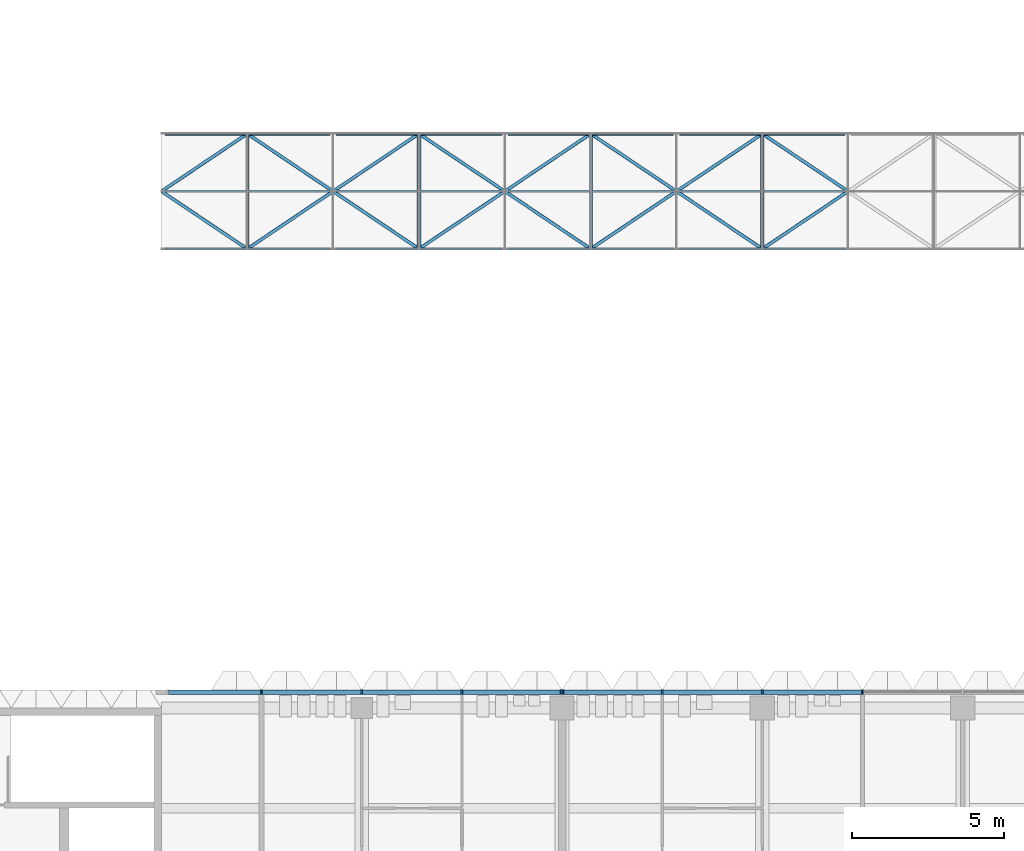
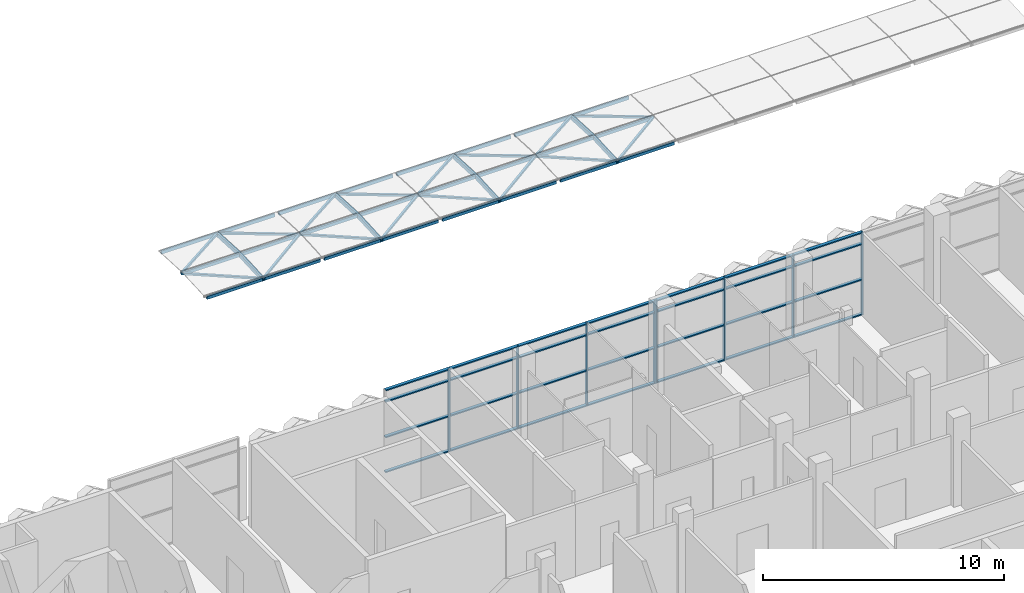
# One storey, part 10 of 61: 84 members, 2 elements without a shape of their own.
"""IFC4 building model written with IfcOpenShell, lengths in metres."""

from ifc_helpers import new_model, si_unit, direction, frame, origin, origin_2d, place, context, subcontext, project, spatial, rectangle, hollow_rectangle, extrude, material, material_profile, profile_set, type_object, element, aggregate, save


model = new_model("IFC4")

# Units and contexts
model_context = context("Model", 3, precision=1e-05, world=origin(), true_north=direction((0.0, 1.0)))
body_context = subcontext(model_context, "Body", "Model", "MODEL_VIEW")
ifc_project = project(units=[si_unit("LENGTHUNIT", "METRE"), si_unit("AREAUNIT", "SQUARE_METRE"), si_unit("VOLUMEUNIT", "CUBIC_METRE"), si_unit("PLANEANGLEUNIT", "RADIAN"), si_unit("MASSUNIT", "GRAM", prefix="KILO")], contexts=[model_context])

# Site, building, storey
site_placement = place(None, origin())
site = spatial("IfcSite", under=ifc_project, at=site_placement, CompositionType="ELEMENT")
building_placement = place(site_placement, origin())
building = spatial("IfcBuilding", under=site, at=building_placement, Name="Lantern Court Research Institute", CompositionType="ELEMENT")
storey_placement = place(building_placement, frame((0.0, 0.0, 23.39990234375)))
storey = spatial("IfcBuildingStorey", under=building, at=storey_placement, Name="L05", CompositionType="ELEMENT", Elevation=23.39990234375)

# Members
ifc_material_1 = material(Name="Structural steel S355", Category="steel")
ifc_material_profile_1 = material_profile(ifc_material_1, hollow_rectangle(XDim=0.080078125, YDim=0.159912109375, WallThickness=0.00634765625, at=origin_2d()), Name="Gridshell crown purlin RHS 160 x 80 x 6.3")
ifc_profile_set_1 = profile_set([ifc_material_profile_1], Name="Structural steel S355")
member_type_1 = type_object("IfcMemberType", Name="Gridshell crown purlin RHS 160 x 80 x 6.3", PredefinedType="PURLIN", material=ifc_profile_set_1)
member_1_placement = place(storey_placement, frame((39.72509765625, 38.23291015625, 0.024658203125), z_axis=(1.0, 0.0, 0.0), x_axis=(0.0, 0.994933962664, 0.100530641789)))
element("IfcMember", 1, at=member_1_placement, inside=storey, type_object=member_type_1, Name="Gridshell purlin", PredefinedType="PURLIN", context=body_context, shape_type="SweptSolid", body=[
    extrude(hollow_rectangle(XDim=0.080078125, YDim=0.159912109375, WallThickness=0.00634765625, at=origin_2d()), origin(), (0.0, 0.0, 1.0), 2.6435546875),
])
member_2_placement = place(storey_placement, frame((42.488525390625, 38.23291015625, 0.024658203125), z_axis=(1.0, 0.0, 0.0), x_axis=(0.0, 0.994933962664, 0.100530641789)))
element("IfcMember", 2, at=member_2_placement, inside=storey, type_object=member_type_1, Name="Gridshell purlin", PredefinedType="PURLIN", context=body_context, shape_type="SweptSolid", body=[
    extrude(hollow_rectangle(XDim=0.080078125, YDim=0.159912109375, WallThickness=0.00634765625, at=origin_2d()), origin(), (0.0, 0.0, 1.0), 2.668701171875),
])
for number, where, z_axis, x_axis, name in (
    (3, (45.357177734375, 38.23291015625, 0.024658203125), (1.0, 0.0, 0.0), (0.0, 0.994933962664, 0.100530641789), "Gridshell purlin"),
    (4, (48.145751953125, 38.23291015625, 0.024658203125), (1.0, 0.0, 0.0), (0.0, 0.994933962664, 0.100530641789), "Gridshell purlin"),
    (5, (51.014404296875, 38.23291015625, 0.024658203125), (1.0, 0.0, 0.0), (0.0, 0.994933962664, 0.100530641789), "Gridshell purlin"),
    (6, (53.802978515625, 38.23291015625, 0.024658203125), (1.0, 0.0, 0.0), (0.0, 0.994933962664, 0.100530641789), "Gridshell purlin"),
):
    element("IfcMember", number, at=place(storey_placement, frame(where, z_axis=z_axis, x_axis=x_axis)), inside=storey, type_object=member_type_1, Name=name, PredefinedType="PURLIN", context=body_context, shape_type="SweptSolid", body=[
        extrude(hollow_rectangle(XDim=0.080078125, YDim=0.159912109375, WallThickness=0.00634765625, at=origin_2d()), origin(), (0.0, 0.0, 1.0), 2.66845703125),
    ])
for number, where, z_axis, x_axis, name in (
    (7, (56.67138671875, 38.23291015625, 0.024658203125), (1.0, 0.0, 0.0), (0.0, 0.994933962664, 0.100530641789), "Gridshell purlin"),
    (8, (59.4599609375, 38.23291015625, 0.024658203125), (1.0, 0.0, 0.0), (0.0, 0.994933962664, 0.100530641789), "Gridshell purlin"),
):
    element("IfcMember", number, at=place(storey_placement, frame(where, z_axis=z_axis, x_axis=x_axis)), inside=storey, type_object=member_type_1, Name=name, PredefinedType="PURLIN", context=body_context, shape_type="SweptSolid", body=[
        extrude(hollow_rectangle(XDim=0.080078125, YDim=0.159912109375, WallThickness=0.00634765625, at=origin_2d()), origin(), (0.0, 0.0, 1.0), 2.668701171875),
    ])
member_3_placement = place(storey_placement, frame((39.72509765625, 40.125, 0.1201171875), z_axis=(1.0, 0.0, 0.0), x_axis=(0.0, 1.0, 0.0)))
element("IfcMember", 9, at=member_3_placement, inside=storey, type_object=member_type_1, Name="Gridshell purlin", PredefinedType="PURLIN", context=body_context, shape_type="SweptSolid", body=[
    extrude(hollow_rectangle(XDim=0.080078125, YDim=0.159912109375, WallThickness=0.00634765625, at=origin_2d()), origin(), (0.0, 0.0, 1.0), 2.6435546875),
])
member_4_placement = place(storey_placement, frame((42.488525390625, 40.125, 0.1201171875), z_axis=(1.0, 0.0, 0.0), x_axis=(0.0, 1.0, 0.0)))
element("IfcMember", 10, at=member_4_placement, inside=storey, type_object=member_type_1, Name="Gridshell purlin", PredefinedType="PURLIN", context=body_context, shape_type="SweptSolid", body=[
    extrude(hollow_rectangle(XDim=0.080078125, YDim=0.159912109375, WallThickness=0.00634765625, at=origin_2d()), origin(), (0.0, 0.0, 1.0), 2.668701171875),
])
for number, where, z_axis, x_axis, name in (
    (11, (45.357177734375, 40.125, 0.1201171875), (1.0, 0.0, 0.0), (0.0, 1.0, 0.0), "Gridshell purlin"),
    (12, (48.145751953125, 40.125, 0.1201171875), (1.0, 0.0, 0.0), (0.0, 1.0, 0.0), "Gridshell purlin"),
    (13, (51.014404296875, 40.125, 0.1201171875), (1.0, 0.0, 0.0), (0.0, 1.0, 0.0), "Gridshell purlin"),
    (14, (53.802978515625, 40.125, 0.1201171875), (1.0, 0.0, 0.0), (0.0, 1.0, 0.0), "Gridshell purlin"),
):
    element("IfcMember", number, at=place(storey_placement, frame(where, z_axis=z_axis, x_axis=x_axis)), inside=storey, type_object=member_type_1, Name=name, PredefinedType="PURLIN", context=body_context, shape_type="SweptSolid", body=[
        extrude(hollow_rectangle(XDim=0.080078125, YDim=0.159912109375, WallThickness=0.00634765625, at=origin_2d()), origin(), (0.0, 0.0, 1.0), 2.66845703125),
    ])
for number, where, z_axis, x_axis, name in (
    (15, (56.67138671875, 40.125, 0.1201171875), (1.0, 0.0, 0.0), (0.0, 1.0, 0.0), "Gridshell purlin"),
    (16, (59.4599609375, 40.125, 0.1201171875), (1.0, 0.0, 0.0), (0.0, 1.0, 0.0), "Gridshell purlin"),
):
    element("IfcMember", number, at=place(storey_placement, frame(where, z_axis=z_axis, x_axis=x_axis)), inside=storey, type_object=member_type_1, Name=name, PredefinedType="PURLIN", context=body_context, shape_type="SweptSolid", body=[
        extrude(hollow_rectangle(XDim=0.080078125, YDim=0.159912109375, WallThickness=0.00634765625, at=origin_2d()), origin(), (0.0, 0.0, 1.0), 2.668701171875),
    ])
member_5_placement = place(storey_placement, frame((39.72509765625, 42.01708984375, 0.024658203125), z_axis=(1.0, 0.0, 0.0), x_axis=(0.0, 0.994933962664, -0.100530641789)))
element("IfcMember", 17, at=member_5_placement, inside=storey, type_object=member_type_1, Name="Gridshell purlin", PredefinedType="PURLIN", context=body_context, shape_type="SweptSolid", body=[
    extrude(hollow_rectangle(XDim=0.080078125, YDim=0.159912109375, WallThickness=0.00634765625, at=origin_2d()), origin(), (0.0, 0.0, 1.0), 2.6435546875),
])
member_6_placement = place(storey_placement, frame((42.488525390625, 42.01708984375, 0.024658203125), z_axis=(1.0, 0.0, 0.0), x_axis=(0.0, 0.994933962664, -0.100530641789)))
element("IfcMember", 18, at=member_6_placement, inside=storey, type_object=member_type_1, Name="Gridshell purlin", PredefinedType="PURLIN", context=body_context, shape_type="SweptSolid", body=[
    extrude(hollow_rectangle(XDim=0.080078125, YDim=0.159912109375, WallThickness=0.00634765625, at=origin_2d()), origin(), (0.0, 0.0, 1.0), 2.668701171875),
])
for number, where, z_axis, x_axis, name in (
    (19, (45.357177734375, 42.01708984375, 0.024658203125), (1.0, 0.0, 0.0), (0.0, 0.994933962664, -0.100530641789), "Gridshell purlin"),
    (20, (48.145751953125, 42.01708984375, 0.024658203125), (1.0, 0.0, 0.0), (0.0, 0.994933962664, -0.100530641789), "Gridshell purlin"),
    (21, (51.014404296875, 42.01708984375, 0.024658203125), (1.0, 0.0, 0.0), (0.0, 0.994933962664, -0.100530641789), "Gridshell purlin"),
    (22, (53.802978515625, 42.01708984375, 0.024658203125), (1.0, 0.0, 0.0), (0.0, 0.994933962664, -0.100530641789), "Gridshell purlin"),
):
    element("IfcMember", number, at=place(storey_placement, frame(where, z_axis=z_axis, x_axis=x_axis)), inside=storey, type_object=member_type_1, Name=name, PredefinedType="PURLIN", context=body_context, shape_type="SweptSolid", body=[
        extrude(hollow_rectangle(XDim=0.080078125, YDim=0.159912109375, WallThickness=0.00634765625, at=origin_2d()), origin(), (0.0, 0.0, 1.0), 2.66845703125),
    ])
for number, where, z_axis, x_axis, name in (
    (23, (56.67138671875, 42.01708984375, 0.024658203125), (1.0, 0.0, 0.0), (0.0, 0.994933962664, -0.100530641789), "Gridshell purlin"),
    (24, (59.4599609375, 42.01708984375, 0.024658203125), (1.0, 0.0, 0.0), (0.0, 0.994933962664, -0.100530641789), "Gridshell purlin"),
):
    element("IfcMember", number, at=place(storey_placement, frame(where, z_axis=z_axis, x_axis=x_axis)), inside=storey, type_object=member_type_1, Name=name, PredefinedType="PURLIN", context=body_context, shape_type="SweptSolid", body=[
        extrude(hollow_rectangle(XDim=0.080078125, YDim=0.159912109375, WallThickness=0.00634765625, at=origin_2d()), origin(), (0.0, 0.0, 1.0), 2.668701171875),
    ])
ifc_material_2 = material(Name="Structural steel S355", Category="steel")
ifc_material_profile_2 = material_profile(ifc_material_2, hollow_rectangle(XDim=0.10009765625, YDim=0.10009765625, WallThickness=0.00634765625, at=origin_2d()), Name="Gridshell diagonal RHS 100 x 100 x 6.3")
ifc_profile_set_2 = profile_set([ifc_material_profile_2], Name="Structural steel S355")
member_type_2 = type_object("IfcMemberType", Name="Gridshell diagonal RHS 100 x 100 x 6.3", PredefinedType="BRACE", material=ifc_profile_set_2)
for number, where, z_axis, x_axis, name in (
    (25, (42.428466796875, 38.2275390625, 0.054443359375), (-0.829777790691, 0.557387204761, 0.02807707328), (-0.558093915024, -0.828726200764, -0.041762018391), "Gridshell diagonal"),
    (26, (39.60009765625, 40.12255859375, 0.150146484375), (0.829777790691, 0.557387204761, -0.02807707328), (-0.558093915024, 0.828726200764, -0.041762018391), "Gridshell diagonal"),
    (27, (42.428466796875, 38.2275390625, 0.054443359375), (0.829800097715, 0.557354079097, 0.028075404653), (-0.55806074737, 0.828748535987, 0.041762020349), "Gridshell diagonal"),
    (28, (45.257080078125, 40.12255859375, 0.150146484375), (-0.829800097715, 0.557354079097, -0.028075404653), (-0.55806074737, -0.828748535987, 0.041762020349), "Gridshell diagonal"),
    (29, (48.085693359375, 38.2275390625, 0.054443359375), (-0.829800097715, 0.557354079097, 0.028075404653), (-0.55806074737, -0.828748535987, -0.041762020349), "Gridshell diagonal"),
    (30, (45.257080078125, 40.12255859375, 0.150146484375), (0.829800097715, 0.557354079097, -0.028075404653), (-0.55806074737, 0.828748535987, -0.041762020349), "Gridshell diagonal"),
    (31, (48.085693359375, 38.2275390625, 0.054443359375), (0.829800097715, 0.557354079097, 0.028075404653), (-0.55806074737, 0.828748535987, 0.041762020349), "Gridshell diagonal"),
    (32, (50.914306640625, 40.12255859375, 0.150146484375), (-0.829800097715, 0.557354079097, -0.028075404653), (-0.55806074737, -0.828748535987, 0.041762020349), "Gridshell diagonal"),
    (33, (53.742919921875, 38.2275390625, 0.054443359375), (-0.829800097715, 0.557354079097, 0.028075404653), (-0.55806074737, -0.828748535987, -0.041762020349), "Gridshell diagonal"),
    (34, (50.914306640625, 40.12255859375, 0.150146484375), (0.829800097715, 0.557354079097, -0.028075404653), (-0.55806074737, 0.828748535987, -0.041762020349), "Gridshell diagonal"),
    (35, (53.742919921875, 38.2275390625, 0.054443359375), (0.829800097715, 0.557354079097, 0.028075404653), (-0.55806074737, 0.828748535987, 0.041762020349), "Gridshell diagonal"),
    (36, (56.571533203125, 40.12255859375, 0.150146484375), (-0.829800097715, 0.557354079097, -0.028075404653), (-0.55806074737, -0.828748535987, 0.041762020349), "Gridshell diagonal"),
    (37, (59.39990234375, 38.2275390625, 0.054443359375), (-0.829777790691, 0.557387204761, 0.02807707328), (-0.558093915024, -0.828726200764, -0.041762018391), "Gridshell diagonal"),
    (38, (56.571533203125, 40.12255859375, 0.150146484375), (0.829777790691, 0.557387204761, -0.02807707328), (-0.558093915024, 0.828726200764, -0.041762018391), "Gridshell diagonal"),
    (39, (59.39990234375, 38.2275390625, 0.054443359375), (0.829800097715, 0.557354079097, 0.028075404653), (-0.55806074737, 0.828748535987, 0.041762020349), "Gridshell diagonal"),
    (40, (62.228515625, 40.12255859375, 0.150146484375), (-0.829800097715, 0.557354079097, -0.028075404653), (-0.55806074737, -0.828748535987, 0.041762020349), "Gridshell diagonal"),
):
    element("IfcMember", number, at=place(storey_placement, frame(where, z_axis=z_axis, x_axis=x_axis)), inside=storey, type_object=member_type_2, Name=name, PredefinedType="BRACE", context=body_context, shape_type="SweptSolid", body=[
        extrude(hollow_rectangle(XDim=0.10009765625, YDim=0.10009765625, WallThickness=0.00634765625, at=origin_2d()), origin(), (0.0, 0.0, 1.0), 3.40869140625),
    ])
ifc_material_3 = material(Name="Structural steel S355", Category="steel")
ifc_material_profile_3 = material_profile(ifc_material_3, hollow_rectangle(XDim=0.1201171875, YDim=0.199951171875, WallThickness=0.008056640625, at=origin_2d()), Name="Gridshell secondary rib RHS 200 x 120 x 8")
ifc_profile_set_3 = profile_set([ifc_material_profile_3], Name="Structural steel S355")
member_type_3 = type_object("IfcMemberType", Name="Gridshell secondary rib RHS 200 x 120 x 8", PredefinedType="RAFTER", material=ifc_profile_set_3)
for number, where, z_axis, x_axis, name in (
    (41, (42.428466796875, 38.22998046875, 0.00439453125), (0.0, 0.998727576976, 0.050430417288), (-1.0, 0.0, 0.0), "Gridshell secondary rib"),
    (42, (42.428466796875, 40.119873046875, 0.100341796875), (0.0, 0.998727576976, -0.050430417288), (-1.0, 0.0, 0.0), "Gridshell secondary rib"),
    (43, (48.085693359375, 38.22998046875, 0.00439453125), (0.0, 0.998727576976, 0.050430417288), (-1.0, 0.0, 0.0), "Gridshell secondary rib"),
    (44, (48.085693359375, 40.119873046875, 0.100341796875), (0.0, 0.998727576976, -0.050430417288), (-1.0, 0.0, 0.0), "Gridshell secondary rib"),
    (45, (53.742919921875, 38.22998046875, 0.00439453125), (0.0, 0.998727576976, 0.050430417288), (-1.0, 0.0, 0.0), "Gridshell secondary rib"),
    (46, (53.742919921875, 40.119873046875, 0.100341796875), (0.0, 0.998727576976, -0.050430417288), (-1.0, 0.0, 0.0), "Gridshell secondary rib"),
    (47, (59.39990234375, 38.22998046875, 0.00439453125), (0.0, 0.998727576976, 0.050430417288), (-1.0, 0.0, 0.0), "Gridshell secondary rib"),
    (48, (59.39990234375, 40.119873046875, 0.100341796875), (0.0, 0.998727576976, -0.050430417288), (-1.0, 0.0, 0.0), "Gridshell secondary rib"),
):
    element("IfcMember", number, at=place(storey_placement, frame(where, z_axis=z_axis, x_axis=x_axis)), inside=storey, type_object=member_type_3, Name=name, PredefinedType="RAFTER", context=body_context, shape_type="SweptSolid", body=[
        extrude(hollow_rectangle(XDim=0.1201171875, YDim=0.199951171875, WallThickness=0.008056640625, at=origin_2d()), origin(), (0.0, 0.0, 1.0), 1.902587890625),
    ])

# Curtain wall, members
ifc_material_4 = material(Name="Aluminium alloy 6063-T6", Category="aluminium")
curtain_wall_type_1 = type_object("IfcCurtainWallType", Name="Curtain wall 13025 x 4200 x 150 aluminium frame", PredefinedType="NOTDEFINED", material=ifc_material_4)
curtain_wall_1_placement = place(storey_placement, origin())
curtain_wall_1 = element("IfcCurtainWall", 49, at=curtain_wall_1_placement, inside=storey, type_object=curtain_wall_type_1, Name="Curtain wall CW071", PredefinedType="NOTDEFINED")
ifc_material_5 = material(Name="Aluminium alloy 6063-T6", Category="aluminium")
ifc_material_profile_4 = material_profile(ifc_material_5, rectangle(XDim=0.14990234375, YDim=0.06005859375, at=origin_2d()), Name="Mullion 150 x 60")
ifc_profile_set_4 = profile_set([ifc_material_profile_4], Name="Aluminium alloy 6063-T6")
member_type_4 = type_object("IfcMemberType", Name="Mullion 150 x 60 aluminium", PredefinedType="MULLION", material=ifc_profile_set_4)
member_7_placement = place(storey_placement, frame((42.89990234375, 23.625, 0.0), z_axis=(0.0, 0.0, 1.0), x_axis=(0.0, 1.0, 0.0)))
member_7 = element("IfcMember", 50, at=member_7_placement, type_object=member_type_4, Name="CW071 mullion 2", PredefinedType="MULLION", context=body_context, shape_type="SweptSolid", body=[
    extrude(rectangle(XDim=0.14990234375, YDim=0.06005859375, at=origin_2d()), origin(), (0.0, 0.0, 1.0), 4.2001953125),
])
member_8_placement = place(storey_placement, frame((46.199951171875, 23.625, 0.0), z_axis=(0.0, 0.0, 1.0), x_axis=(0.0, 1.0, 0.0)))
member_8 = element("IfcMember", 51, at=member_8_placement, type_object=member_type_4, Name="CW071 mullion 3", PredefinedType="MULLION", context=body_context, shape_type="SweptSolid", body=[
    extrude(rectangle(XDim=0.14990234375, YDim=0.06005859375, at=origin_2d()), origin(), (0.0, 0.0, 1.0), 4.2001953125),
])
member_9_placement = place(storey_placement, frame((49.5, 23.625, 0.0), z_axis=(0.0, 0.0, 1.0), x_axis=(0.0, 1.0, 0.0)))
member_9 = element("IfcMember", 52, at=member_9_placement, type_object=member_type_4, Name="CW071 mullion 4", PredefinedType="MULLION", context=body_context, shape_type="SweptSolid", body=[
    extrude(rectangle(XDim=0.14990234375, YDim=0.06005859375, at=origin_2d()), origin(), (0.0, 0.0, 1.0), 4.2001953125),
])
member_10_placement = place(storey_placement, frame((52.77001953125, 23.625, 0.0), z_axis=(0.0, 0.0, 1.0), x_axis=(0.0, 1.0, 0.0)))
member_10 = element("IfcMember", 53, at=member_10_placement, type_object=member_type_4, Name="CW071 mullion 5", PredefinedType="MULLION", context=body_context, shape_type="SweptSolid", body=[
    extrude(rectangle(XDim=0.14990234375, YDim=0.06005859375, at=origin_2d()), origin(), (0.0, 0.0, 1.0), 4.2001953125),
])

ifc_material_6 = material(Name="Aluminium alloy 6063-T6", Category="aluminium")
curtain_wall_type_2 = type_object("IfcCurtainWallType", Name="Curtain wall 19600 x 4200 x 150 aluminium frame", PredefinedType="NOTDEFINED", material=ifc_material_6)
curtain_wall_2_placement = place(storey_placement, origin())
curtain_wall_2 = element("IfcCurtainWall", 54, at=curtain_wall_2_placement, inside=storey, type_object=curtain_wall_type_2, Name="Curtain wall CW075", PredefinedType="NOTDEFINED")
member_11_placement = place(storey_placement, frame((52.830078125, 23.625, 0.0), z_axis=(0.0, 0.0, 1.0), x_axis=(0.0, 1.0, 0.0)))
member_11 = element("IfcMember", 55, at=member_11_placement, type_object=member_type_4, Name="CW075 mullion 1", PredefinedType="MULLION", context=body_context, shape_type="SweptSolid", body=[
    extrude(rectangle(XDim=0.14990234375, YDim=0.06005859375, at=origin_2d()), origin(), (0.0, 0.0, 1.0), 4.2001953125),
])
member_12_placement = place(storey_placement, frame((56.10009765625, 23.625, 0.0), z_axis=(0.0, 0.0, 1.0), x_axis=(0.0, 1.0, 0.0)))
member_12 = element("IfcMember", 56, at=member_12_placement, type_object=member_type_4, Name="CW075 mullion 2", PredefinedType="MULLION", context=body_context, shape_type="SweptSolid", body=[
    extrude(rectangle(XDim=0.14990234375, YDim=0.06005859375, at=origin_2d()), origin(), (0.0, 0.0, 1.0), 4.2001953125),
])
member_13_placement = place(storey_placement, frame((59.39990234375, 23.625, 0.0), z_axis=(0.0, 0.0, 1.0), x_axis=(0.0, 1.0, 0.0)))
member_13 = element("IfcMember", 57, at=member_13_placement, type_object=member_type_4, Name="CW075 mullion 3", PredefinedType="MULLION", context=body_context, shape_type="SweptSolid", body=[
    extrude(rectangle(XDim=0.14990234375, YDim=0.06005859375, at=origin_2d()), origin(), (0.0, 0.0, 1.0), 4.2001953125),
])
member_14_placement = place(storey_placement, frame((62.699951171875, 23.625, 0.0), z_axis=(0.0, 0.0, 1.0), x_axis=(0.0, 1.0, 0.0)))
member_14 = element("IfcMember", 58, at=member_14_placement, type_object=member_type_4, Name="CW075 mullion 4", PredefinedType="MULLION", context=body_context, shape_type="SweptSolid", body=[
    extrude(rectangle(XDim=0.14990234375, YDim=0.06005859375, at=origin_2d()), origin(), (0.0, 0.0, 1.0), 4.2001953125),
])

# Member
ifc_material_7 = material(Name="Aluminium alloy 6063-T6", Category="aluminium")
ifc_material_profile_5 = material_profile(ifc_material_7, rectangle(XDim=0.14990234375, YDim=0.06005859375, at=origin_2d()), Name="Transom 150 x 60")
ifc_profile_set_5 = profile_set([ifc_material_profile_5], Name="Aluminium alloy 6063-T6")
member_type_5 = type_object("IfcMemberType", Name="Transom 150 x 60 aluminium", PredefinedType="USERDEFINED", material=ifc_profile_set_5)
member_15_placement = place(storey_placement, frame((39.8349609375, 23.625, 0.030029296875), z_axis=(1.0, 0.0, 0.0), x_axis=(0.0, 1.0, 0.0)))
member_15 = element("IfcMember", 59, at=member_15_placement, type_object=member_type_5, Name="CW071 transom 1.1", ObjectType="TRANSOM", PredefinedType="USERDEFINED", context=body_context, shape_type="SweptSolid", body=[
    extrude(rectangle(XDim=0.14990234375, YDim=0.06005859375, at=origin_2d()), origin(), (0.0, 0.0, 1.0), 3.03515625),
])

member_16_placement = place(storey_placement, frame((39.8349609375, 23.625, 1.800048828125), z_axis=(1.0, 0.0, 0.0), x_axis=(0.0, 1.0, 0.0)))
member_16 = element("IfcMember", 60, at=member_16_placement, type_object=member_type_5, Name="CW071 transom 1.2", ObjectType="TRANSOM", PredefinedType="USERDEFINED", context=body_context, shape_type="SweptSolid", body=[
    extrude(rectangle(XDim=0.14990234375, YDim=0.06005859375, at=origin_2d()), origin(), (0.0, 0.0, 1.0), 3.03515625),
])

member_17_placement = place(storey_placement, frame((39.8349609375, 23.625, 3.60009765625), z_axis=(1.0, 0.0, 0.0), x_axis=(0.0, 1.0, 0.0)))
member_17 = element("IfcMember", 61, at=member_17_placement, type_object=member_type_5, Name="CW071 transom 1.3", ObjectType="TRANSOM", PredefinedType="USERDEFINED", context=body_context, shape_type="SweptSolid", body=[
    extrude(rectangle(XDim=0.14990234375, YDim=0.06005859375, at=origin_2d()), origin(), (0.0, 0.0, 1.0), 3.03515625),
])

member_18_placement = place(storey_placement, frame((39.8349609375, 23.625, 4.170166015625), z_axis=(1.0, 0.0, 0.0), x_axis=(0.0, 1.0, 0.0)))
member_18 = element("IfcMember", 62, at=member_18_placement, type_object=member_type_5, Name="CW071 transom 1.4", ObjectType="TRANSOM", PredefinedType="USERDEFINED", context=body_context, shape_type="SweptSolid", body=[
    extrude(rectangle(XDim=0.14990234375, YDim=0.06005859375, at=origin_2d()), origin(), (0.0, 0.0, 1.0), 3.03515625),
])

member_19_placement = place(storey_placement, frame((42.929931640625, 23.625, 0.030029296875), z_axis=(1.0, 0.0, 0.0), x_axis=(0.0, 1.0, 0.0)))
member_19 = element("IfcMember", 63, at=member_19_placement, type_object=member_type_5, Name="CW071 transom 2.1", ObjectType="TRANSOM", PredefinedType="USERDEFINED", context=body_context, shape_type="SweptSolid", body=[
    extrude(rectangle(XDim=0.14990234375, YDim=0.06005859375, at=origin_2d()), origin(), (0.0, 0.0, 1.0), 3.239990234375),
])

member_20_placement = place(storey_placement, frame((42.929931640625, 23.625, 1.800048828125), z_axis=(1.0, 0.0, 0.0), x_axis=(0.0, 1.0, 0.0)))
member_20 = element("IfcMember", 64, at=member_20_placement, type_object=member_type_5, Name="CW071 transom 2.2", ObjectType="TRANSOM", PredefinedType="USERDEFINED", context=body_context, shape_type="SweptSolid", body=[
    extrude(rectangle(XDim=0.14990234375, YDim=0.06005859375, at=origin_2d()), origin(), (0.0, 0.0, 1.0), 3.239990234375),
])

member_21_placement = place(storey_placement, frame((42.929931640625, 23.625, 3.60009765625), z_axis=(1.0, 0.0, 0.0), x_axis=(0.0, 1.0, 0.0)))
member_21 = element("IfcMember", 65, at=member_21_placement, type_object=member_type_5, Name="CW071 transom 2.3", ObjectType="TRANSOM", PredefinedType="USERDEFINED", context=body_context, shape_type="SweptSolid", body=[
    extrude(rectangle(XDim=0.14990234375, YDim=0.06005859375, at=origin_2d()), origin(), (0.0, 0.0, 1.0), 3.239990234375),
])

member_22_placement = place(storey_placement, frame((42.929931640625, 23.625, 4.170166015625), z_axis=(1.0, 0.0, 0.0), x_axis=(0.0, 1.0, 0.0)))
member_22 = element("IfcMember", 66, at=member_22_placement, type_object=member_type_5, Name="CW071 transom 2.4", ObjectType="TRANSOM", PredefinedType="USERDEFINED", context=body_context, shape_type="SweptSolid", body=[
    extrude(rectangle(XDim=0.14990234375, YDim=0.06005859375, at=origin_2d()), origin(), (0.0, 0.0, 1.0), 3.239990234375),
])

member_23_placement = place(storey_placement, frame((46.22998046875, 23.625, 0.030029296875), z_axis=(1.0, 0.0, 0.0), x_axis=(0.0, 1.0, 0.0)))
member_23 = element("IfcMember", 67, at=member_23_placement, type_object=member_type_5, Name="CW071 transom 3.1", ObjectType="TRANSOM", PredefinedType="USERDEFINED", context=body_context, shape_type="SweptSolid", body=[
    extrude(rectangle(XDim=0.14990234375, YDim=0.06005859375, at=origin_2d()), origin(), (0.0, 0.0, 1.0), 3.239990234375),
])

member_24_placement = place(storey_placement, frame((46.22998046875, 23.625, 1.800048828125), z_axis=(1.0, 0.0, 0.0), x_axis=(0.0, 1.0, 0.0)))
member_24 = element("IfcMember", 68, at=member_24_placement, type_object=member_type_5, Name="CW071 transom 3.2", ObjectType="TRANSOM", PredefinedType="USERDEFINED", context=body_context, shape_type="SweptSolid", body=[
    extrude(rectangle(XDim=0.14990234375, YDim=0.06005859375, at=origin_2d()), origin(), (0.0, 0.0, 1.0), 3.239990234375),
])

member_25_placement = place(storey_placement, frame((46.22998046875, 23.625, 3.60009765625), z_axis=(1.0, 0.0, 0.0), x_axis=(0.0, 1.0, 0.0)))
member_25 = element("IfcMember", 69, at=member_25_placement, type_object=member_type_5, Name="CW071 transom 3.3", ObjectType="TRANSOM", PredefinedType="USERDEFINED", context=body_context, shape_type="SweptSolid", body=[
    extrude(rectangle(XDim=0.14990234375, YDim=0.06005859375, at=origin_2d()), origin(), (0.0, 0.0, 1.0), 3.239990234375),
])

member_26_placement = place(storey_placement, frame((46.22998046875, 23.625, 4.170166015625), z_axis=(1.0, 0.0, 0.0), x_axis=(0.0, 1.0, 0.0)))
member_26 = element("IfcMember", 70, at=member_26_placement, type_object=member_type_5, Name="CW071 transom 3.4", ObjectType="TRANSOM", PredefinedType="USERDEFINED", context=body_context, shape_type="SweptSolid", body=[
    extrude(rectangle(XDim=0.14990234375, YDim=0.06005859375, at=origin_2d()), origin(), (0.0, 0.0, 1.0), 3.239990234375),
])

member_27_placement = place(storey_placement, frame((49.530029296875, 23.625, 0.030029296875), z_axis=(1.0, 0.0, 0.0), x_axis=(0.0, 1.0, 0.0)))
member_27 = element("IfcMember", 71, at=member_27_placement, type_object=member_type_5, Name="CW071 transom 4.1", ObjectType="TRANSOM", PredefinedType="USERDEFINED", context=body_context, shape_type="SweptSolid", body=[
    extrude(rectangle(XDim=0.14990234375, YDim=0.06005859375, at=origin_2d()), origin(), (0.0, 0.0, 1.0), 3.2099609375),
])

member_28_placement = place(storey_placement, frame((49.530029296875, 23.625, 1.800048828125), z_axis=(1.0, 0.0, 0.0), x_axis=(0.0, 1.0, 0.0)))
member_28 = element("IfcMember", 72, at=member_28_placement, type_object=member_type_5, Name="CW071 transom 4.2", ObjectType="TRANSOM", PredefinedType="USERDEFINED", context=body_context, shape_type="SweptSolid", body=[
    extrude(rectangle(XDim=0.14990234375, YDim=0.06005859375, at=origin_2d()), origin(), (0.0, 0.0, 1.0), 3.2099609375),
])

member_29_placement = place(storey_placement, frame((49.530029296875, 23.625, 3.60009765625), z_axis=(1.0, 0.0, 0.0), x_axis=(0.0, 1.0, 0.0)))
member_29 = element("IfcMember", 73, at=member_29_placement, type_object=member_type_5, Name="CW071 transom 4.3", ObjectType="TRANSOM", PredefinedType="USERDEFINED", context=body_context, shape_type="SweptSolid", body=[
    extrude(rectangle(XDim=0.14990234375, YDim=0.06005859375, at=origin_2d()), origin(), (0.0, 0.0, 1.0), 3.2099609375),
])

member_30_placement = place(storey_placement, frame((49.530029296875, 23.625, 4.170166015625), z_axis=(1.0, 0.0, 0.0), x_axis=(0.0, 1.0, 0.0)))
member_30 = element("IfcMember", 74, at=member_30_placement, type_object=member_type_5, Name="CW071 transom 4.4", ObjectType="TRANSOM", PredefinedType="USERDEFINED", context=body_context, shape_type="SweptSolid", body=[
    extrude(rectangle(XDim=0.14990234375, YDim=0.06005859375, at=origin_2d()), origin(), (0.0, 0.0, 1.0), 3.2099609375),
])

aggregate(curtain_wall_1, [member_7, member_8, member_9, member_10, member_15, member_16, member_17, member_18, member_19, member_20, member_21, member_22, member_23, member_24, member_25, member_26, member_27, member_28, member_29, member_30])

member_31_placement = place(storey_placement, frame((52.860107421875, 23.625, 0.030029296875), z_axis=(1.0, 0.0, 0.0), x_axis=(0.0, 1.0, 0.0)))
member_31 = element("IfcMember", 75, at=member_31_placement, type_object=member_type_5, Name="CW075 transom 1.1", ObjectType="TRANSOM", PredefinedType="USERDEFINED", context=body_context, shape_type="SweptSolid", body=[
    extrude(rectangle(XDim=0.14990234375, YDim=0.06005859375, at=origin_2d()), origin(), (0.0, 0.0, 1.0), 3.2099609375),
])

member_32_placement = place(storey_placement, frame((52.860107421875, 23.625, 1.800048828125), z_axis=(1.0, 0.0, 0.0), x_axis=(0.0, 1.0, 0.0)))
member_32 = element("IfcMember", 76, at=member_32_placement, type_object=member_type_5, Name="CW075 transom 1.2", ObjectType="TRANSOM", PredefinedType="USERDEFINED", context=body_context, shape_type="SweptSolid", body=[
    extrude(rectangle(XDim=0.14990234375, YDim=0.06005859375, at=origin_2d()), origin(), (0.0, 0.0, 1.0), 3.2099609375),
])

member_33_placement = place(storey_placement, frame((52.860107421875, 23.625, 3.60009765625), z_axis=(1.0, 0.0, 0.0), x_axis=(0.0, 1.0, 0.0)))
member_33 = element("IfcMember", 77, at=member_33_placement, type_object=member_type_5, Name="CW075 transom 1.3", ObjectType="TRANSOM", PredefinedType="USERDEFINED", context=body_context, shape_type="SweptSolid", body=[
    extrude(rectangle(XDim=0.14990234375, YDim=0.06005859375, at=origin_2d()), origin(), (0.0, 0.0, 1.0), 3.2099609375),
])

member_34_placement = place(storey_placement, frame((52.860107421875, 23.625, 4.170166015625), z_axis=(1.0, 0.0, 0.0), x_axis=(0.0, 1.0, 0.0)))
member_34 = element("IfcMember", 78, at=member_34_placement, type_object=member_type_5, Name="CW075 transom 1.4", ObjectType="TRANSOM", PredefinedType="USERDEFINED", context=body_context, shape_type="SweptSolid", body=[
    extrude(rectangle(XDim=0.14990234375, YDim=0.06005859375, at=origin_2d()), origin(), (0.0, 0.0, 1.0), 3.2099609375),
])

member_35_placement = place(storey_placement, frame((56.1298828125, 23.625, 0.030029296875), z_axis=(1.0, 0.0, 0.0), x_axis=(0.0, 1.0, 0.0)))
member_35 = element("IfcMember", 79, at=member_35_placement, type_object=member_type_5, Name="CW075 transom 2.1", ObjectType="TRANSOM", PredefinedType="USERDEFINED", context=body_context, shape_type="SweptSolid", body=[
    extrude(rectangle(XDim=0.14990234375, YDim=0.06005859375, at=origin_2d()), origin(), (0.0, 0.0, 1.0), 3.240234375),
])

member_36_placement = place(storey_placement, frame((56.1298828125, 23.625, 1.800048828125), z_axis=(1.0, 0.0, 0.0), x_axis=(0.0, 1.0, 0.0)))
member_36 = element("IfcMember", 80, at=member_36_placement, type_object=member_type_5, Name="CW075 transom 2.2", ObjectType="TRANSOM", PredefinedType="USERDEFINED", context=body_context, shape_type="SweptSolid", body=[
    extrude(rectangle(XDim=0.14990234375, YDim=0.06005859375, at=origin_2d()), origin(), (0.0, 0.0, 1.0), 3.240234375),
])

member_37_placement = place(storey_placement, frame((56.1298828125, 23.625, 3.60009765625), z_axis=(1.0, 0.0, 0.0), x_axis=(0.0, 1.0, 0.0)))
member_37 = element("IfcMember", 81, at=member_37_placement, type_object=member_type_5, Name="CW075 transom 2.3", ObjectType="TRANSOM", PredefinedType="USERDEFINED", context=body_context, shape_type="SweptSolid", body=[
    extrude(rectangle(XDim=0.14990234375, YDim=0.06005859375, at=origin_2d()), origin(), (0.0, 0.0, 1.0), 3.240234375),
])

member_38_placement = place(storey_placement, frame((56.1298828125, 23.625, 4.170166015625), z_axis=(1.0, 0.0, 0.0), x_axis=(0.0, 1.0, 0.0)))
member_38 = element("IfcMember", 82, at=member_38_placement, type_object=member_type_5, Name="CW075 transom 2.4", ObjectType="TRANSOM", PredefinedType="USERDEFINED", context=body_context, shape_type="SweptSolid", body=[
    extrude(rectangle(XDim=0.14990234375, YDim=0.06005859375, at=origin_2d()), origin(), (0.0, 0.0, 1.0), 3.240234375),
])

member_39_placement = place(storey_placement, frame((59.429931640625, 23.625, 0.030029296875), z_axis=(1.0, 0.0, 0.0), x_axis=(0.0, 1.0, 0.0)))
member_39 = element("IfcMember", 83, at=member_39_placement, type_object=member_type_5, Name="CW075 transom 3.1", ObjectType="TRANSOM", PredefinedType="USERDEFINED", context=body_context, shape_type="SweptSolid", body=[
    extrude(rectangle(XDim=0.14990234375, YDim=0.06005859375, at=origin_2d()), origin(), (0.0, 0.0, 1.0), 3.239990234375),
])

member_40_placement = place(storey_placement, frame((59.429931640625, 23.625, 1.800048828125), z_axis=(1.0, 0.0, 0.0), x_axis=(0.0, 1.0, 0.0)))
member_40 = element("IfcMember", 84, at=member_40_placement, type_object=member_type_5, Name="CW075 transom 3.2", ObjectType="TRANSOM", PredefinedType="USERDEFINED", context=body_context, shape_type="SweptSolid", body=[
    extrude(rectangle(XDim=0.14990234375, YDim=0.06005859375, at=origin_2d()), origin(), (0.0, 0.0, 1.0), 3.239990234375),
])

member_41_placement = place(storey_placement, frame((59.429931640625, 23.625, 3.60009765625), z_axis=(1.0, 0.0, 0.0), x_axis=(0.0, 1.0, 0.0)))
member_41 = element("IfcMember", 85, at=member_41_placement, type_object=member_type_5, Name="CW075 transom 3.3", ObjectType="TRANSOM", PredefinedType="USERDEFINED", context=body_context, shape_type="SweptSolid", body=[
    extrude(rectangle(XDim=0.14990234375, YDim=0.06005859375, at=origin_2d()), origin(), (0.0, 0.0, 1.0), 3.239990234375),
])

member_42_placement = place(storey_placement, frame((59.429931640625, 23.625, 4.170166015625), z_axis=(1.0, 0.0, 0.0), x_axis=(0.0, 1.0, 0.0)))
member_42 = element("IfcMember", 86, at=member_42_placement, type_object=member_type_5, Name="CW075 transom 3.4", ObjectType="TRANSOM", PredefinedType="USERDEFINED", context=body_context, shape_type="SweptSolid", body=[
    extrude(rectangle(XDim=0.14990234375, YDim=0.06005859375, at=origin_2d()), origin(), (0.0, 0.0, 1.0), 3.239990234375),
])

aggregate(curtain_wall_2, [member_11, member_12, member_13, member_14, member_31, member_32, member_33, member_34, member_35, member_36, member_37, member_38, member_39, member_40, member_41, member_42])

save(model, "model.ifc")
